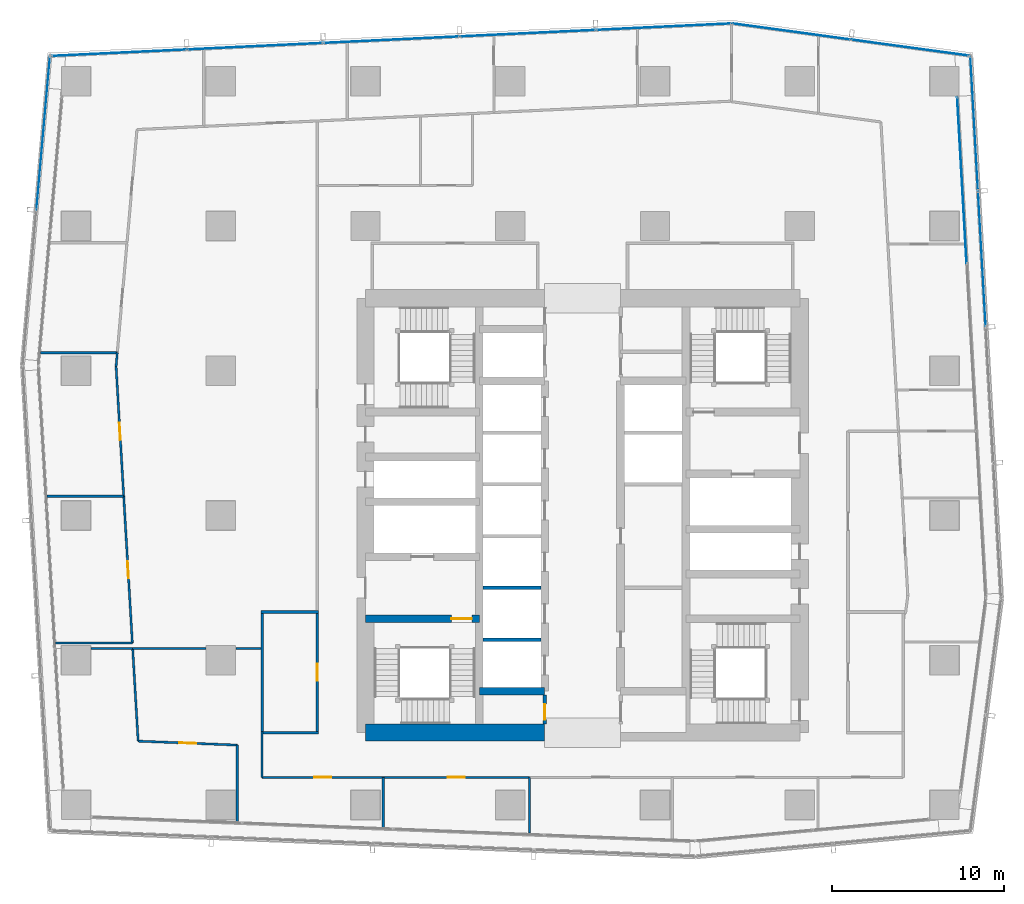
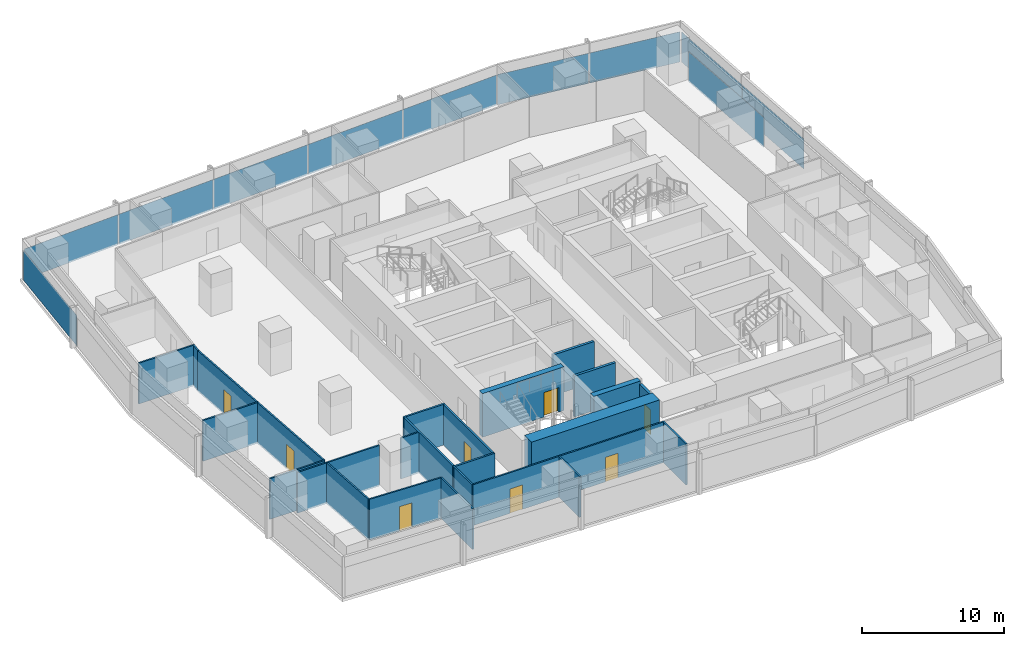
# One storey, part 27 of 39: 27 walls, 11 plates, 8 doors, 8 openings, 5 elements without a shape of their own.
"""IFC4 building model written with IfcOpenShell, lengths in metres."""

from ifc_helpers import new_model, si_unit, direction, frame, frame_2d, origin, origin_2d, place, context, subcontext, project, spatial, rectangle, extrude, material, layer, layer_set, type_object, element, fill, aggregate, save


model = new_model("IFC4")

# Units and contexts
model_context = context("Model", 3, precision=1e-05, world=origin(), true_north=direction((0.0, 1.0)))
body_context = subcontext(model_context, "Body", "Model", "MODEL_VIEW")
ifc_project = project(units=[si_unit("LENGTHUNIT", "METRE"), si_unit("AREAUNIT", "SQUARE_METRE"), si_unit("VOLUMEUNIT", "CUBIC_METRE"), si_unit("PLANEANGLEUNIT", "RADIAN"), si_unit("MASSUNIT", "GRAM", prefix="KILO")], contexts=[model_context])

# Site, building, storey
site_placement = place(None, origin())
site = spatial("IfcSite", under=ifc_project, at=site_placement, CompositionType="ELEMENT")
building_placement = place(site_placement, origin())
building = spatial("IfcBuilding", under=site, at=building_placement, Name="Rekha Terrace Tower", CompositionType="ELEMENT")
storey_placement = place(building_placement, frame((0.0, 0.0, 180.199951171875)))
storey = spatial("IfcBuildingStorey", under=building, at=storey_placement, Name="L45", CompositionType="ELEMENT", Elevation=180.199951171875)

# Curtain wall, plate
ifc_material_1 = material(Name="Aluminium framing", Category="aluminium")
curtain_wall_type_1 = type_object("IfcCurtainWallType", Name="CW1 double skin inner glazing", PredefinedType="USERDEFINED", material=ifc_material_1)
curtain_wall_1_placement = place(storey_placement, origin())
curtain_wall_1 = element("IfcCurtainWall", 1, at=curtain_wall_1_placement, inside=storey, type_object=curtain_wall_type_1, Name="CW1 double skin inner glazing", ObjectType="DOUBLE SKIN INNER GLAZING", PredefinedType="USERDEFINED")
ifc_material_2 = material(Name="Double-glazed low-e unit 32", Category="glass")
ifc_layer_1 = layer(ifc_material_2, 0.031982421875)
ifc_layer_set_1 = layer_set([ifc_layer_1], Name="Double-glazed low-e unit 32")
plate_type_1 = type_object("IfcPlateType", Name="CW1 jumbo vision panel, double-glazed low-e unit 32", PredefinedType="CURTAIN_PANEL", material=ifc_layer_set_1)
plate_1_placement = place(storey_placement, frame((59.808349609375, 53.051025390625, 0.0), z_axis=(0.0, 0.0, 1.0), x_axis=(-0.056673194877, 0.998392782918, 0.0)))
plate_1 = element("IfcPlate", 2, at=plate_1_placement, type_object=plate_type_1, Name="CW1 panel 3.1", PredefinedType="CURTAIN_PANEL", context=body_context, shape_type="SweptSolid", body=[
    extrude(rectangle(XDim=9.633056640625, YDim=0.031982421875, at=origin_2d()), origin(), (0.0, 0.0, 1.0), 2.60009765625),
])
aggregate(curtain_wall_1, [plate_1])

# Curtain wall, plates
curtain_wall_type_2 = type_object("IfcCurtainWallType", Name="CW2 double skin outer glazing", PredefinedType="USERDEFINED", material=ifc_material_1)
curtain_wall_2_placement = place(storey_placement, origin())
curtain_wall_2 = element("IfcCurtainWall", 3, at=curtain_wall_2_placement, inside=storey, type_object=curtain_wall_type_2, Name="CW2 double skin outer glazing", ObjectType="DOUBLE SKIN OUTER GLAZING", PredefinedType="USERDEFINED")
ifc_material_3 = material(Name="Toughened single glazing 12", Category="glass")
ifc_layer_2 = layer(ifc_material_3, 0.011962890625)
ifc_layer_set_2 = layer_set([ifc_layer_2], Name="Toughened single glazing 12")
plate_type_2 = type_object("IfcPlateType", Name="CW2 jumbo vision panel, toughened single glazing 12", PredefinedType="CURTAIN_PANEL", material=ifc_layer_set_2)
plate_2_placement = place(storey_placement, frame((60.9697265625, 48.47314453125, 0.0), z_axis=(0.0, 0.0, 1.0), x_axis=(-0.05667319486, 0.998392782919, 0.0)))
plate_2 = element("IfcPlate", 4, at=plate_2_placement, type_object=plate_type_2, Name="CW2 panel 3.1", PredefinedType="CURTAIN_PANEL", context=body_context, shape_type="SweptSolid", body=[
    extrude(rectangle(XDim=7.823486328125, YDim=0.011962890625, at=origin_2d()), origin(), (0.0, 0.0, 1.0), 2.60009765625),
])
plate_3_placement = place(storey_placement, frame((60.522705078125, 56.343994140625, 0.0), z_axis=(0.0, 0.0, 1.0), x_axis=(-0.05667319486, 0.998392782919, 0.0)))
plate_3 = element("IfcPlate", 5, at=plate_3_placement, type_object=plate_type_2, Name="CW2 panel 4.1", PredefinedType="CURTAIN_PANEL", context=body_context, shape_type="SweptSolid", body=[
    extrude(rectangle(XDim=7.783447265625, YDim=0.011962890625, at=origin_2d()), origin(), (0.0, 0.0, 1.0), 2.60009765625),
])
aggregate(curtain_wall_2, [plate_2, plate_3])

# Curtain wall, plate
curtain_wall_3_placement = place(storey_placement, origin())
curtain_wall_3 = element("IfcCurtainWall", 6, at=curtain_wall_3_placement, inside=storey, type_object=curtain_wall_type_2, Name="CW2 double skin outer glazing", ObjectType="DOUBLE SKIN OUTER GLAZING", PredefinedType="USERDEFINED")
plate_4_placement = place(storey_placement, frame((6.498779296875, 55.78466796875, 0.0), z_axis=(0.0, 0.0, 1.0), x_axis=(-0.087957985453, -0.996124185428, 0.0)))
plate_4 = element("IfcPlate", 7, at=plate_4_placement, type_object=plate_type_2, Name="CW2 panel 1.1", PredefinedType="CURTAIN_PANEL", context=body_context, shape_type="SweptSolid", body=[
    extrude(rectangle(XDim=8.899658203125, YDim=0.011962890625, at=origin_2d()), origin(), (0.0, 0.0, 1.0), 2.60009765625),
])
aggregate(curtain_wall_3, [plate_4])

# Curtain wall, plates
curtain_wall_type_3 = type_object("IfcCurtainWallType", Name="CW3 north unitised glazing", PredefinedType="USERDEFINED", material=ifc_material_1)
curtain_wall_4_placement = place(storey_placement, origin())
curtain_wall_4 = element("IfcCurtainWall", 8, at=curtain_wall_4_placement, inside=storey, type_object=curtain_wall_type_3, Name="CW3 unitised curtain wall", ObjectType="UNITISED CURTAIN WALL", PredefinedType="USERDEFINED")
ifc_material_4 = material(Name="Double-glazed unit 28", Category="glass")
ifc_layer_3 = layer(ifc_material_4, 0.028076171875)
ifc_layer_set_3 = layer_set([ifc_layer_3], Name="Double-glazed unit 28")
plate_type_3 = type_object("IfcPlateType", Name="CW3 jumbo vision panel, double-glazed unit 28", PredefinedType="CURTAIN_PANEL", material=ifc_layer_set_3)
plate_5_placement = place(storey_placement, frame((56.797119140625, 60.745361328125, 0.0), z_axis=(0.0, 0.0, 1.0), x_axis=(-0.990867270504, 0.134840840416, 0.0)))
plate_5 = element("IfcPlate", 9, at=plate_5_placement, type_object=plate_type_3, Name="CW3 panel 1.1", PredefinedType="CURTAIN_PANEL", context=body_context, shape_type="SweptSolid", body=[
    extrude(rectangle(XDim=6.8486328125, YDim=0.028076171875, at=origin_2d()), origin(), (0.0, 0.0, 1.0), 2.60009765625),
])
plate_6_placement = place(storey_placement, frame((49.906982421875, 61.682861328125, 0.0), z_axis=(0.0, 0.0, 1.0), x_axis=(-0.990867270504, 0.134840840416, 0.0)))
plate_6 = element("IfcPlate", 10, at=plate_6_placement, type_object=plate_type_3, Name="CW3 panel 2.1", PredefinedType="CURTAIN_PANEL", context=body_context, shape_type="SweptSolid", body=[
    extrude(rectangle(XDim=6.918701171875, YDim=0.028076171875, at=origin_2d()), origin(), (0.0, 0.0, 1.0), 2.60009765625),
])
aggregate(curtain_wall_4, [plate_5, plate_6])

curtain_wall_5_placement = place(storey_placement, origin())
curtain_wall_5 = element("IfcCurtainWall", 11, at=curtain_wall_5_placement, inside=storey, type_object=curtain_wall_type_3, Name="CW3 unitised curtain wall", ObjectType="UNITISED CURTAIN WALL", PredefinedType="USERDEFINED")
plate_7_placement = place(storey_placement, frame((42.50732421875, 61.95947265625, 0.0), z_axis=(0.0, 0.0, 1.0), x_axis=(-0.998858906204, -0.047758616983, 0.0)))
plate_7 = element("IfcPlate", 12, at=plate_7_placement, type_object=plate_type_3, Name="CW3 panel 1.1", PredefinedType="CURTAIN_PANEL", context=body_context, shape_type="SweptSolid", body=[
    extrude(rectangle(XDim=7.81298828125, YDim=0.028076171875, at=origin_2d()), origin(), (0.0, 0.0, 1.0), 2.60009765625),
])
plate_8_placement = place(storey_placement, frame((34.61572265625, 61.58203125, 0.0), z_axis=(0.0, 0.0, 1.0), x_axis=(-0.998858906204, -0.047758616983, 0.0)))
plate_8 = element("IfcPlate", 13, at=plate_8_placement, type_object=plate_type_3, Name="CW3 panel 2.1", PredefinedType="CURTAIN_PANEL", context=body_context, shape_type="SweptSolid", body=[
    extrude(rectangle(XDim=7.84814453125, YDim=0.028076171875, at=origin_2d()), origin(), (0.0, 0.0, 1.0), 2.60009765625),
])
plate_9_placement = place(storey_placement, frame((26.70654296875, 61.203857421875, 0.0), z_axis=(0.0, 0.0, 1.0), x_axis=(-0.998858906204, -0.047758616983, 0.0)))
plate_9 = element("IfcPlate", 14, at=plate_9_placement, type_object=plate_type_3, Name="CW3 panel 3.1", PredefinedType="CURTAIN_PANEL", context=body_context, shape_type="SweptSolid", body=[
    extrude(rectangle(XDim=7.84814453125, YDim=0.028076171875, at=origin_2d()), origin(), (0.0, 0.0, 1.0), 2.60009765625),
])
plate_10_placement = place(storey_placement, frame((18.79736328125, 60.82568359375, 0.0), z_axis=(0.0, 0.0, 1.0), x_axis=(-0.998858906204, -0.047758616983, 0.0)))
plate_10 = element("IfcPlate", 15, at=plate_10_placement, type_object=plate_type_3, Name="CW3 panel 4.1", PredefinedType="CURTAIN_PANEL", context=body_context, shape_type="SweptSolid", body=[
    extrude(rectangle(XDim=7.84814453125, YDim=0.028076171875, at=origin_2d()), origin(), (0.0, 0.0, 1.0), 2.60009765625),
])
plate_11_placement = place(storey_placement, frame((10.906005859375, 60.448486328125, 0.0), z_axis=(0.0, 0.0, 1.0), x_axis=(-0.998858906204, -0.047758616983, 0.0)))
plate_11 = element("IfcPlate", 16, at=plate_11_placement, type_object=plate_type_3, Name="CW3 panel 5.1", PredefinedType="CURTAIN_PANEL", context=body_context, shape_type="SweptSolid", body=[
    extrude(rectangle(XDim=7.81298828125, YDim=0.028076171875, at=origin_2d()), origin(), (0.0, 0.0, 1.0), 2.60009765625),
])
aggregate(curtain_wall_5, [plate_7, plate_8, plate_9, plate_10, plate_11])

# Wall
ifc_material_5 = material(Name="Concrete M60", Category="concrete")
ifc_layer_4 = layer(ifc_material_5, 0.449951171875)
ifc_layer_set_4 = layer_set([ifc_layer_4], Name="Concrete M60")
wall_type_1 = type_object("IfcWallType", Name="CI3 450 core internal shear wall", PredefinedType="SHEAR", material=ifc_layer_set_4)
wall_1_placement = place(storey_placement, frame((31.800048828125, 23.39990234375, 0.0), z_axis=(0.0, 0.0, 1.0), x_axis=(1.0, 0.0, 0.0)))
element("IfcWall", 17, at=wall_1_placement, inside=storey, type_object=wall_type_1, Name="Core wall Y234W L45", PredefinedType="SHEAR", context=body_context, shape_type="SweptSolid", body=[
    extrude(rectangle(XDim=3.800048828125, YDim=0.449951171875, at=frame_2d((1.89990234375, 0.0))), origin(), (0.0, 0.0, 1.0), 3.75),
])

# Wall, opening, door
wall_2_placement = place(storey_placement, frame((25.199951171875, 27.60009765625, 0.0), z_axis=(0.0, 0.0, 1.0), x_axis=(1.0, 0.0, 0.0)))
wall_2 = element("IfcWall", 18, at=wall_2_placement, inside=storey, type_object=wall_type_1, Name="Core wall Y276W L45", PredefinedType="SHEAR", context=body_context, shape_type="SweptSolid", body=[
    extrude(rectangle(XDim=6.60009765625, YDim=0.449951171875, at=frame_2d((3.300048828125, 0.0))), origin(), (0.0, 0.0, 1.0), 3.75),
])
opening_1_placement = place(wall_2_placement, frame((4.97509765625, 0.0, 0.0)))
opening_1 = element("IfcOpeningElement", 19, at=opening_1_placement, cuts=wall_2, Name="Opening D1", PredefinedType="OPENING", context=body_context, shape_type="SweptSolid", body=[
    extrude(rectangle(XDim=1.199951171875, YDim=2.10009765625, at=frame_2d((0.60009765625, 1.050048828125))), frame((0.0, 0.23486328125, 0.0), z_axis=(0.0, -1.0, 0.0), x_axis=(1.0, 0.0, 0.0)), (0.0, 0.0, 1.0), 0.469970703125),
])
ifc_material_6 = material(Name="Steel fire door", Category="steel")
door_type_1 = type_object("IfcDoorType", Name="D1 1200x2100 stair fire door", OperationType="SINGLE_SWING_RIGHT", PredefinedType="DOOR", material=ifc_material_6)
door_1_placement = place(opening_1_placement, origin())
door_1 = element("IfcDoor", 20, at=door_1_placement, inside=storey, type_object=door_type_1, Name="Stair ST1 door L45", OperationType="SINGLE_SWING_RIGHT", OverallHeight=2.10009765625, OverallWidth=1.199951171875, PredefinedType="DOOR", context=body_context, shape_type="SweptSolid", body=[
    extrude(rectangle(XDim=1.199951171875, YDim=2.10009765625, at=frame_2d((0.60009765625, 1.050048828125))), frame((0.0, 0.02490234375, 0.0), z_axis=(0.0, -1.0, 0.0), x_axis=(1.0, 0.0, 0.0)), (0.0, 0.0, 1.0), 0.050048828125),
])
fill(opening_1, door_1)

# Walls
ifc_layer_5 = layer(ifc_material_5, 1.0)
ifc_layer_set_5 = layer_set([ifc_layer_5], Name="Concrete M60")
wall_type_2 = type_object("IfcWallType", Name="SW3 1000 core outer shear wall", PredefinedType="SHEAR", material=ifc_layer_set_5)
wall_3_placement = place(storey_placement, frame((25.199951171875, 21.0, 0.0), z_axis=(0.0, 0.0, 1.0), x_axis=(1.0, 0.0, 0.0)))
element("IfcWall", 21, at=wall_3_placement, inside=storey, type_object=wall_type_2, Name="Core wall S1 L45", PredefinedType="SHEAR", context=body_context, shape_type="SweptSolid", body=[
    extrude(rectangle(XDim=10.400146484375, YDim=1.0, at=frame_2d((5.2001953125, 0.0))), origin(), (0.0, 0.0, 1.0), 3.75),
])
ifc_material_7 = material(Name="Concrete block masonry, 1 hour", Category="masonry")
ifc_layer_6 = layer(ifc_material_7, 0.14990234375)
ifc_layer_set_6 = layer_set([ifc_layer_6], Name="Concrete block masonry, 1 hour")
wall_type_3 = type_object("IfcWallType", Name="WP2 150 tenancy partition", PredefinedType="PARTITIONING", material=ifc_layer_set_6)
for number, where, z_axis, x_axis, name in (
    (22, (19.125, 21.0, 0.0), (0.0, 0.0, 1.0), (1.0, 0.0, 0.0), "Men's WC wall L45"),
    (23, (19.125, 28.0, 0.0), (0.0, 0.0, 1.0), (1.0, 0.0, 0.0), "Men's WC wall L45"),
):
    element("IfcWall", number, at=place(storey_placement, frame(where, z_axis=z_axis, x_axis=x_axis)), inside=storey, type_object=wall_type_3, Name=name, PredefinedType="PARTITIONING", context=body_context, shape_type="SweptSolid", body=[
        extrude(rectangle(XDim=3.35009765625, YDim=0.14990234375, at=frame_2d((1.675048828125, 0.0))), origin(), (0.0, 0.0, 1.0), 3.5),
    ])
wall_4_placement = place(storey_placement, frame((19.199951171875, 21.074951171875, 0.0), z_axis=(0.0, 0.0, 1.0), x_axis=(0.0, 1.0, 0.0)))
element("IfcWall", 24, at=wall_4_placement, inside=storey, type_object=wall_type_3, Name="Men's WC wall L45", PredefinedType="PARTITIONING", context=body_context, shape_type="SweptSolid", body=[
    extrude(rectangle(XDim=6.85009765625, YDim=0.14990234375, at=frame_2d((3.425048828125, 0.0))), origin(), (0.0, 0.0, 1.0), 3.5),
])

# Wall, opening, door
wall_5_placement = place(storey_placement, frame((22.39990234375, 21.074951171875, 0.0), z_axis=(0.0, 0.0, 1.0), x_axis=(0.0, 1.0, 0.0)))
wall_5 = element("IfcWall", 25, at=wall_5_placement, inside=storey, type_object=wall_type_3, Name="Men's WC wall L45", PredefinedType="PARTITIONING", context=body_context, shape_type="SweptSolid", body=[
    extrude(rectangle(XDim=6.85009765625, YDim=0.14990234375, at=frame_2d((3.425048828125, 0.0))), origin(), (0.0, 0.0, 1.0), 3.5),
])
opening_2_placement = place(wall_5_placement, frame((2.925048828125, 0.0, 0.0)))
opening_2 = element("IfcOpeningElement", 26, at=opening_2_placement, cuts=wall_5, Name="Opening D3", PredefinedType="OPENING", context=body_context, shape_type="SweptSolid", body=[
    extrude(rectangle(XDim=1.0, YDim=2.10009765625, at=frame_2d((0.5, 1.050048828125))), frame((0.0, 0.0849609375, 0.0), z_axis=(0.0, -1.0, 0.0), x_axis=(1.0, 0.0, 0.0)), (0.0, 0.0, 1.0), 0.169921875),
])
ifc_material_8 = material(Name="Laminated timber fire door", Category="wood")
door_type_2 = type_object("IfcDoorType", Name="D3 1000x2100 WC door", OperationType="SINGLE_SWING_LEFT", PredefinedType="DOOR", material=ifc_material_8)
door_2_placement = place(opening_2_placement, origin())
door_2 = element("IfcDoor", 27, at=door_2_placement, inside=storey, type_object=door_type_2, Name="Door men's wc L45", OperationType="SINGLE_SWING_LEFT", OverallHeight=2.10009765625, OverallWidth=1.0, PredefinedType="DOOR", context=body_context, shape_type="SweptSolid", body=[
    extrude(rectangle(XDim=1.0, YDim=2.10009765625, at=frame_2d((0.5, 1.050048828125))), frame((0.0, 0.02490234375, 0.0), z_axis=(0.0, -1.0, 0.0), x_axis=(1.0, 0.0, 0.0)), (0.0, 0.0, 1.0), 0.050048828125),
])
fill(opening_2, door_2)

# Walls
ifc_material_9 = material(Name="Two layers of fire-rated gypsum board each side on steel studs, acoustic quilt, 1 hour", Category="steel")
ifc_layer_7 = layer(ifc_material_9, 0.125)
ifc_layer_set_7 = layer_set([ifc_layer_7], Name="Two layers of fire-rated gypsum board each side on steel studs, acoustic quilt, 1 hour")
wall_type_4 = type_object("IfcWallType", Name="WP3 125 office partition", PredefinedType="PARTITIONING", material=ifc_layer_set_7)
wall_6_placement = place(storey_placement, frame((34.7060546875, 15.175048828125, 0.0), z_axis=(0.0, 0.0, 1.0), x_axis=(0.0, 1.0, 0.0)))
element("IfcWall", 28, at=wall_6_placement, inside=storey, type_object=wall_type_4, Name="Partition L45-02", PredefinedType="PARTITIONING", context=body_context, shape_type="SweptSolid", body=[
    extrude(rectangle(XDim=3.224853515625, YDim=0.125, at=frame_2d((1.6123046875, 0.0))), origin(), (0.0, 0.0, 1.0), 3.5),
])
wall_7_placement = place(storey_placement, frame((9.27001953125, 25.887939453125, 0.0), z_axis=(0.0, 0.0, 1.0), x_axis=(1.0, 0.0, 0.0)))
element("IfcWall", 29, at=wall_7_placement, inside=storey, type_object=wall_type_4, Name="Partition L45-07", PredefinedType="PARTITIONING", context=body_context, shape_type="SweptSolid", body=[
    extrude(rectangle(XDim=2.41796875, YDim=0.125, at=frame_2d((1.208984375, 0.0))), origin(), (0.0, 0.0, 1.0), 3.5),
])
wall_8_placement = place(storey_placement, frame((11.68798828125, 25.887939453125, 0.0), z_axis=(0.0, 0.0, 1.0), x_axis=(0.058767140917, -0.998271718095, 0.0)))
element("IfcWall", 30, at=wall_8_placement, inside=storey, type_object=wall_type_4, Name="Partition L45-07", PredefinedType="PARTITIONING", context=body_context, shape_type="SweptSolid", body=[
    extrude(rectangle(XDim=5.392333984375, YDim=0.125, at=frame_2d((2.6962890625, 0.0))), origin(), (0.0, 0.0, 1.0), 3.5),
])

# Wall, opening, door
wall_9_placement = place(storey_placement, frame((12.0048828125, 20.5048828125, 0.0), z_axis=(0.0, 0.0, 1.0), x_axis=(0.999202244946, -0.039935869776, 0.0)))
wall_9 = element("IfcWall", 31, at=wall_9_placement, inside=storey, type_object=wall_type_4, Name="Partition L45-07", PredefinedType="PARTITIONING", context=body_context, shape_type="SweptSolid", body=[
    extrude(rectangle(XDim=5.7587890625, YDim=0.125, at=frame_2d((2.87939453125, 0.0))), origin(), (0.0, 0.0, 1.0), 3.5),
])
opening_3_placement = place(wall_9_placement, frame((2.37890625, 0.0, 0.0)))
opening_3 = element("IfcOpeningElement", 32, at=opening_3_placement, cuts=wall_9, Name="Opening D9", PredefinedType="OPENING", context=body_context, shape_type="SweptSolid", body=[
    extrude(rectangle(XDim=1.0, YDim=2.10009765625, at=frame_2d((0.5, 1.050048828125))), frame((0.0, 0.072509765625, 0.0), z_axis=(0.0, -1.0, 0.0), x_axis=(1.0, 0.0, 0.0)), (0.0, 0.0, 1.0), 0.14501953125),
])
ifc_material_10 = material(Name="Timber fire door", Category="wood")
door_type_3 = type_object("IfcDoorType", Name="D9 1000x2100 office door", OperationType="SINGLE_SWING_LEFT", PredefinedType="DOOR", material=ifc_material_10)
door_3_placement = place(opening_3_placement, origin())
door_3 = element("IfcDoor", 33, at=door_3_placement, inside=storey, type_object=door_type_3, Name="Door director's office L45", OperationType="SINGLE_SWING_LEFT", OverallHeight=2.10009765625, OverallWidth=1.0, PredefinedType="DOOR", context=body_context, shape_type="SweptSolid", body=[
    extrude(rectangle(XDim=1.0, YDim=2.10009765625, at=frame_2d((0.5, 1.050048828125))), frame((0.0, 0.02490234375, 0.0), z_axis=(0.0, -1.0, 0.0), x_axis=(1.0, 0.0, 0.0)), (0.0, 0.0, 1.0), 0.050048828125),
])
fill(opening_3, door_3)

# Walls
wall_10_placement = place(storey_placement, frame((17.759033203125, 20.27490234375, 0.0), z_axis=(0.0, 0.0, 1.0), x_axis=(0.0, -1.0, 0.0)))
element("IfcWall", 34, at=wall_10_placement, inside=storey, type_object=wall_type_4, Name="Partition L45-07", PredefinedType="PARTITIONING", context=body_context, shape_type="SweptSolid", body=[
    extrude(rectangle(XDim=4.452880859375, YDim=0.125, at=frame_2d((2.2265625, 0.0))), origin(), (0.0, 0.0, 1.0), 3.5),
])
wall_11_placement = place(storey_placement, frame((26.23291015625, 18.39990234375, 0.0), z_axis=(0.0, 0.0, 1.0), x_axis=(0.0, -1.0, 0.0)))
element("IfcWall", 35, at=wall_11_placement, inside=storey, type_object=wall_type_4, Name="Partition L45-08", PredefinedType="PARTITIONING", context=body_context, shape_type="SweptSolid", body=[
    extrude(rectangle(XDim=2.9169921875, YDim=0.125, at=frame_2d((1.45849609375, 0.0))), origin(), (0.0, 0.0, 1.0), 3.5),
])
wall_12_placement = place(storey_placement, frame((11.68798828125, 25.887939453125, 0.0), z_axis=(0.0, 0.0, 1.0), x_axis=(1.0, 0.0, 0.0)))
element("IfcWall", 36, at=wall_12_placement, inside=storey, type_object=wall_type_4, Name="Partition L45-08", PredefinedType="PARTITIONING", context=body_context, shape_type="SweptSolid", body=[
    extrude(rectangle(XDim=4.241943359375, YDim=0.125, at=frame_2d((2.12109375, 0.0))), origin(), (0.0, 0.0, 1.0), 3.5),
])
wall_13_placement = place(storey_placement, frame((17.669921875, 25.887939453125, 0.0), z_axis=(0.0, 0.0, 1.0), x_axis=(1.0, 0.0, 0.0)))
element("IfcWall", 37, at=wall_13_placement, inside=storey, type_object=wall_type_4, Name="Partition L45-08", PredefinedType="PARTITIONING", context=body_context, shape_type="SweptSolid", body=[
    extrude(rectangle(XDim=1.455078125, YDim=0.125, at=frame_2d((0.7275390625, 0.0))), origin(), (0.0, 0.0, 1.0), 3.5),
])
wall_14_placement = place(storey_placement, frame((19.199951171875, 21.074951171875, 0.0), z_axis=(0.0, 0.0, 1.0), x_axis=(0.0, -1.0, 0.0)))
element("IfcWall", 38, at=wall_14_placement, inside=storey, type_object=wall_type_4, Name="Partition L45-08", PredefinedType="PARTITIONING", context=body_context, shape_type="SweptSolid", body=[
    extrude(rectangle(XDim=2.675048828125, YDim=0.125, at=frame_2d((1.33740234375, 0.0))), origin(), (0.0, 0.0, 1.0), 3.5),
])

# Wall, opening, door
wall_15_placement = place(storey_placement, frame((19.199951171875, 18.39990234375, 0.0), z_axis=(0.0, 0.0, 1.0), x_axis=(1.0, 0.0, 0.0)))
wall_15 = element("IfcWall", 39, at=wall_15_placement, inside=storey, type_object=wall_type_4, Name="Partition L45-08", PredefinedType="PARTITIONING", context=body_context, shape_type="SweptSolid", body=[
    extrude(rectangle(XDim=7.032958984375, YDim=0.125, at=frame_2d((3.5166015625, 0.0))), origin(), (0.0, 0.0, 1.0), 3.5),
])
opening_4_placement = place(wall_15_placement, frame((3.01708984375, 0.0, 0.0)))
opening_4 = element("IfcOpeningElement", 40, at=opening_4_placement, cuts=wall_15, Name="Opening D9", PredefinedType="OPENING", context=body_context, shape_type="SweptSolid", body=[
    extrude(rectangle(XDim=1.0, YDim=2.10009765625, at=frame_2d((0.5, 1.050048828125))), frame((0.0, 0.072509765625, 0.0), z_axis=(0.0, -1.0, 0.0), x_axis=(1.0, 0.0, 0.0)), (0.0, 0.0, 1.0), 0.14501953125),
])
door_4_placement = place(opening_4_placement, origin())
door_4 = element("IfcDoor", 41, at=door_4_placement, inside=storey, type_object=door_type_3, Name="Door office L45", OperationType="SINGLE_SWING_LEFT", OverallHeight=2.10009765625, OverallWidth=1.0, PredefinedType="DOOR", context=body_context, shape_type="SweptSolid", body=[
    extrude(rectangle(XDim=1.0, YDim=2.10009765625, at=frame_2d((0.5, 1.050048828125))), frame((0.0, 0.02490234375, 0.0), z_axis=(0.0, -1.0, 0.0), x_axis=(1.0, 0.0, 0.0)), (0.0, 0.0, 1.0), 0.050048828125),
])
fill(opening_4, door_4)

wall_16_placement = place(storey_placement, frame((26.23291015625, 18.39990234375, 0.0), z_axis=(0.0, 0.0, 1.0), x_axis=(1.0, 0.0, 0.0)))
wall_16 = element("IfcWall", 42, at=wall_16_placement, inside=storey, type_object=wall_type_4, Name="Partition L45-09", PredefinedType="PARTITIONING", context=body_context, shape_type="SweptSolid", body=[
    extrude(rectangle(XDim=8.47216796875, YDim=0.125, at=frame_2d((4.236083984375, 0.0))), origin(), (0.0, 0.0, 1.0), 3.5),
])
opening_5_placement = place(wall_16_placement, frame((3.736083984375, 0.0, 0.0)))
opening_5 = element("IfcOpeningElement", 43, at=opening_5_placement, cuts=wall_16, Name="Opening D9", PredefinedType="OPENING", context=body_context, shape_type="SweptSolid", body=[
    extrude(rectangle(XDim=1.0, YDim=2.10009765625, at=frame_2d((0.5, 1.050048828125))), frame((0.0, 0.072509765625, 0.0), z_axis=(0.0, -1.0, 0.0), x_axis=(1.0, 0.0, 0.0)), (0.0, 0.0, 1.0), 0.14501953125),
])
door_5_placement = place(opening_5_placement, origin())
door_5 = element("IfcDoor", 44, at=door_5_placement, inside=storey, type_object=door_type_3, Name="Door meeting room L45", OperationType="SINGLE_SWING_LEFT", OverallHeight=2.10009765625, OverallWidth=1.0, PredefinedType="DOOR", context=body_context, shape_type="SweptSolid", body=[
    extrude(rectangle(XDim=1.0, YDim=2.10009765625, at=frame_2d((0.5, 1.050048828125))), frame((0.0, 0.02490234375, 0.0), z_axis=(0.0, -1.0, 0.0), x_axis=(1.0, 0.0, 0.0)), (0.0, 0.0, 1.0), 0.050048828125),
])
fill(opening_5, door_5)

# Walls
wall_17_placement = place(storey_placement, frame((10.794921875, 43.044921875, 0.0), z_axis=(0.0, 0.0, 1.0), x_axis=(-1.0, 0.0, 0.0)))
element("IfcWall", 45, at=wall_17_placement, inside=storey, type_object=wall_type_4, Name="Partition L45-19", PredefinedType="PARTITIONING", context=body_context, shape_type="SweptSolid", body=[
    extrude(rectangle(XDim=4.468017578125, YDim=0.125, at=frame_2d((2.23388671875, 0.0))), origin(), (0.0, 0.0, 1.0), 3.5),
])
wall_18_placement = place(storey_placement, frame((11.16796875, 34.7109375, 0.0), z_axis=(0.0, 0.0, 1.0), x_axis=(-1.0, 0.0, 0.0)))
element("IfcWall", 46, at=wall_18_placement, inside=storey, type_object=wall_type_4, Name="Partition L45-20", PredefinedType="PARTITIONING", context=body_context, shape_type="SweptSolid", body=[
    extrude(rectangle(XDim=4.4580078125, YDim=0.125, at=frame_2d((2.22900390625, 0.0))), origin(), (0.0, 0.0, 1.0), 3.5),
])
wall_19_placement = place(storey_placement, frame((10.794921875, 43.0439453125, 0.0), z_axis=(0.0, 0.0, 1.0), x_axis=(-0.08750093035, -0.996164437825, 0.0)))
element("IfcWall", 47, at=wall_19_placement, inside=storey, type_object=wall_type_4, Name="Partition L45-20", PredefinedType="PARTITIONING", context=body_context, shape_type="SweptSolid", body=[
    extrude(rectangle(XDim=0.798095703125, YDim=0.125, at=frame_2d((0.39892578125, 0.0))), origin(), (0.0, 0.0, 1.0), 3.5),
])

# Wall, opening, door
wall_20_placement = place(storey_placement, frame((10.72509765625, 42.2490234375, 0.0), z_axis=(0.0, 0.0, 1.0), x_axis=(0.058649999786, -0.998278607166, 0.0)))
wall_20 = element("IfcWall", 48, at=wall_20_placement, inside=storey, type_object=wall_type_4, Name="Partition L45-20", PredefinedType="PARTITIONING", context=body_context, shape_type="SweptSolid", body=[
    extrude(rectangle(XDim=7.551025390625, YDim=0.125, at=frame_2d((3.775390625, 0.0))), origin(), (0.0, 0.0, 1.0), 3.5),
])
opening_6_placement = place(wall_20_placement, frame((3.27587890625, 0.0, 0.0)))
opening_6 = element("IfcOpeningElement", 49, at=opening_6_placement, cuts=wall_20, Name="Opening D9", PredefinedType="OPENING", context=body_context, shape_type="SweptSolid", body=[
    extrude(rectangle(XDim=1.0, YDim=2.10009765625, at=frame_2d((0.5, 1.050048828125))), frame((0.0, 0.072509765625, 0.0), z_axis=(0.0, -1.0, 0.0), x_axis=(1.0, 0.0, 0.0)), (0.0, 0.0, 1.0), 0.14501953125),
])
door_6_placement = place(opening_6_placement, origin())
door_6 = element("IfcDoor", 50, at=door_6_placement, inside=storey, type_object=door_type_3, Name="Door breakout lounge L45", OperationType="SINGLE_SWING_LEFT", OverallHeight=2.10009765625, OverallWidth=1.0, PredefinedType="DOOR", context=body_context, shape_type="SweptSolid", body=[
    extrude(rectangle(XDim=1.0, YDim=2.10009765625, at=frame_2d((0.5, 1.050048828125))), frame((0.0, 0.02490234375, 0.0), z_axis=(0.0, -1.0, 0.0), x_axis=(1.0, 0.0, 0.0)), (0.0, 0.0, 1.0), 0.050048828125),
])
fill(opening_6, door_6)

wall_21_placement = place(storey_placement, frame((11.16796875, 34.7099609375, 0.0), z_axis=(0.0, 0.0, 1.0), x_axis=(0.058874777336, -0.998265375836, 0.0)))
wall_21 = element("IfcWall", 51, at=wall_21_placement, inside=storey, type_object=wall_type_4, Name="Partition L45-21", PredefinedType="PARTITIONING", context=body_context, shape_type="SweptSolid", body=[
    extrude(rectangle(XDim=8.52587890625, YDim=0.125, at=frame_2d((4.262939453125, 0.0))), origin(), (0.0, 0.0, 1.0), 3.5),
])
opening_7_placement = place(wall_21_placement, frame((3.762939453125, 0.0, 0.0)))
opening_7 = element("IfcOpeningElement", 52, at=opening_7_placement, cuts=wall_21, Name="Opening D9", PredefinedType="OPENING", context=body_context, shape_type="SweptSolid", body=[
    extrude(rectangle(XDim=1.0, YDim=2.10009765625, at=frame_2d((0.5, 1.050048828125))), frame((0.0, 0.072509765625, 0.0), z_axis=(0.0, -1.0, 0.0), x_axis=(1.0, 0.0, 0.0)), (0.0, 0.0, 1.0), 0.14501953125),
])
door_7_placement = place(opening_7_placement, origin())
door_7 = element("IfcDoor", 53, at=door_7_placement, inside=storey, type_object=door_type_3, Name="Door office L45", OperationType="SINGLE_SWING_LEFT", OverallHeight=2.10009765625, OverallWidth=1.0, PredefinedType="DOOR", context=body_context, shape_type="SweptSolid", body=[
    extrude(rectangle(XDim=1.0, YDim=2.10009765625, at=frame_2d((0.5, 1.050048828125))), frame((0.0, 0.02490234375, 0.0), z_axis=(0.0, -1.0, 0.0), x_axis=(1.0, 0.0, 0.0)), (0.0, 0.0, 1.0), 0.050048828125),
])
fill(opening_7, door_7)

# Walls
wall_22_placement = place(storey_placement, frame((11.669921875, 26.198974609375, 0.0), z_axis=(0.0, 0.0, 1.0), x_axis=(-1.0, 0.0, 0.0)))
element("IfcWall", 54, at=wall_22_placement, inside=storey, type_object=wall_type_4, Name="Partition L45-21", PredefinedType="PARTITIONING", context=body_context, shape_type="SweptSolid", body=[
    extrude(rectangle(XDim=4.4580078125, YDim=0.125, at=frame_2d((2.22900390625, 0.0))), origin(), (0.0, 0.0, 1.0), 3.5),
])
ifc_material_11 = material(Name="Solid concrete block masonry, 2 hour", Category="masonry")
ifc_layer_8 = layer(ifc_material_11, 0.199951171875)
ifc_layer_set_8 = layer_set([ifc_layer_8], Name="Solid concrete block masonry, 2 hour")
wall_type_5 = type_object("IfcWallType", Name="WS1 200 stair and shaft enclosure", PredefinedType="PARTITIONING", material=ifc_layer_set_8)
for number, where, z_axis, x_axis, name in (
    (55, (32.02490234375, 26.39990234375, 0.0), (0.0, 0.0, 1.0), (1.0, 0.0, 0.0), "Lift shaft divider L45"),
    (56, (32.02490234375, 29.39990234375, 0.0), (0.0, 0.0, 1.0), (1.0, 0.0, 0.0), "Lift shaft divider L45"),
):
    element("IfcWall", number, at=place(storey_placement, frame(where, z_axis=z_axis, x_axis=x_axis)), inside=storey, type_object=wall_type_5, Name=name, PredefinedType="PARTITIONING", context=body_context, shape_type="SweptSolid", body=[
        extrude(rectangle(XDim=3.35009765625, YDim=0.199951171875, at=frame_2d((1.675048828125, 0.0))), origin(), (0.0, 0.0, 1.0), 3.5),
    ])

# Wall, opening, door
wall_23_placement = place(storey_placement, frame((35.60009765625, 21.5, 0.0), z_axis=(0.0, 0.0, 1.0), x_axis=(0.0, 1.0, 0.0)))
wall_23 = element("IfcWall", 57, at=wall_23_placement, inside=storey, type_object=wall_type_5, Name="Core partition west L45", PredefinedType="PARTITIONING", context=body_context, shape_type="SweptSolid", body=[
    extrude(rectangle(XDim=1.675048828125, YDim=0.199951171875, at=frame_2d((0.83740234375, 0.0))), origin(), (0.0, 0.0, 1.0), 3.5),
])
opening_8_placement = place(wall_23_placement, frame((0.25, 0.0, 0.0)))
opening_8 = element("IfcOpeningElement", 58, at=opening_8_placement, cuts=wall_23, Name="Opening D5", PredefinedType="OPENING", context=body_context, shape_type="SweptSolid", body=[
    extrude(rectangle(XDim=0.89990234375, YDim=2.10009765625, at=frame_2d((0.449951171875, 1.050048828125))), frame((0.0, 0.10986328125, 0.0), z_axis=(0.0, -1.0, 0.0), x_axis=(1.0, 0.0, 0.0)), (0.0, 0.0, 1.0), 0.219970703125),
])
door_type_4 = type_object("IfcDoorType", Name="D5 900x2100 riser access door", OperationType="SINGLE_SWING_LEFT", PredefinedType="DOOR", material=ifc_material_6)
door_8_placement = place(opening_8_placement, origin())
door_8 = element("IfcDoor", 59, at=door_8_placement, inside=storey, type_object=door_type_4, Name="Door tenant store L45", OperationType="SINGLE_SWING_LEFT", OverallHeight=2.10009765625, OverallWidth=0.89990234375, PredefinedType="DOOR", context=body_context, shape_type="SweptSolid", body=[
    extrude(rectangle(XDim=0.89990234375, YDim=2.10009765625, at=frame_2d((0.449951171875, 1.050048828125))), frame((0.0, 0.02490234375, 0.0), z_axis=(0.0, -1.0, 0.0), x_axis=(1.0, 0.0, 0.0)), (0.0, 0.0, 1.0), 0.050048828125),
])
fill(opening_8, door_8)

save(model, "model.ifc")
